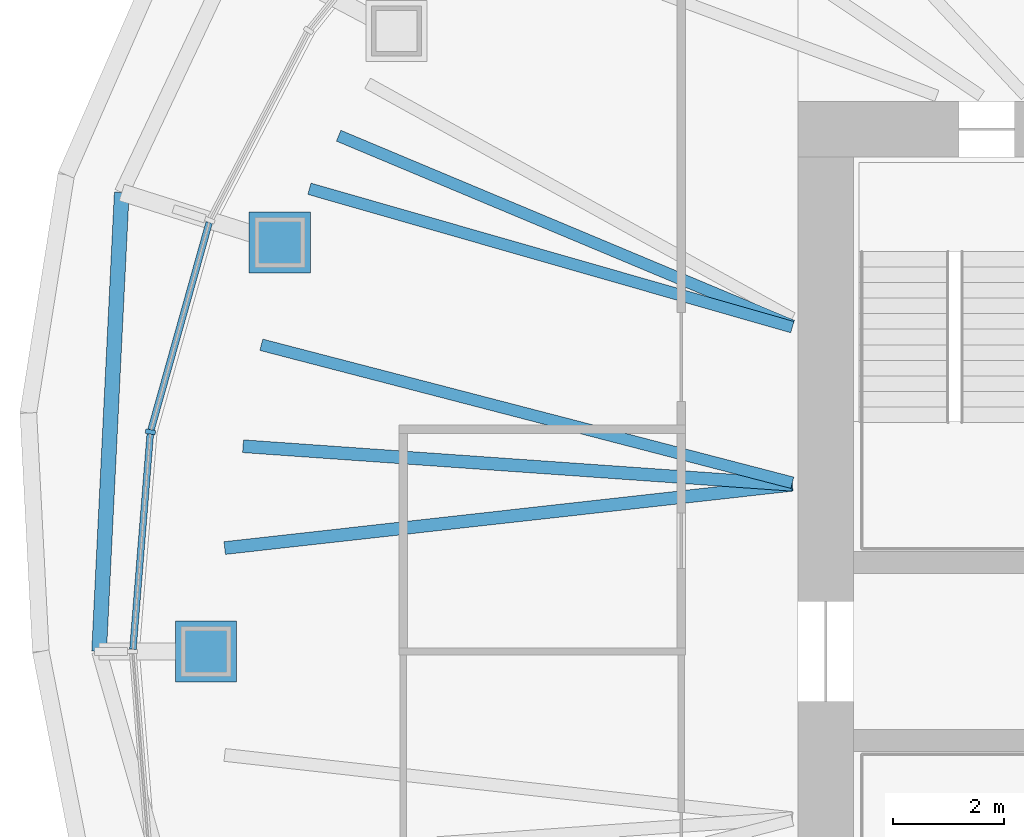
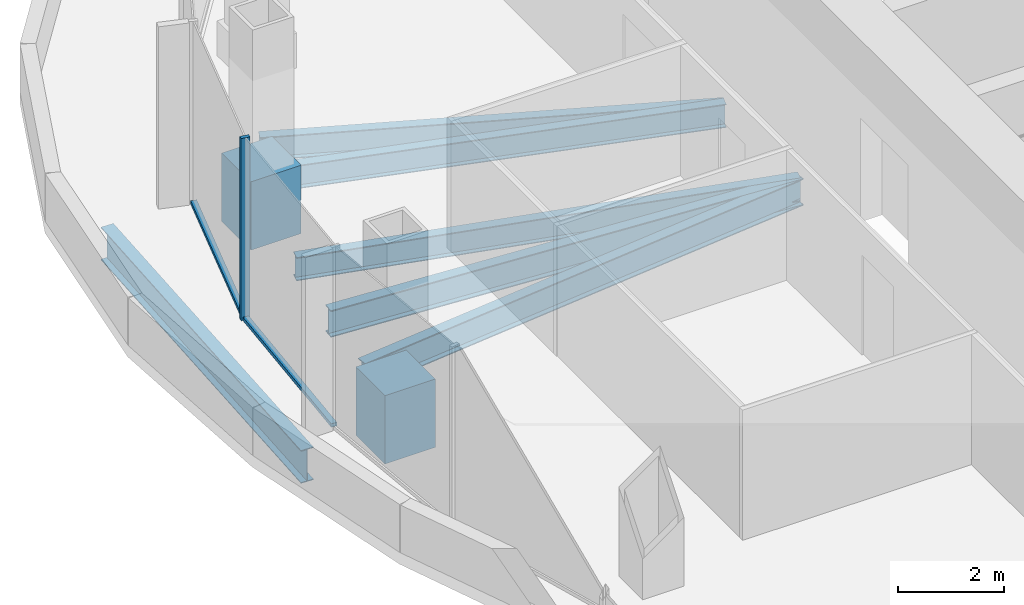
# One storey, part 3 of 13: 6 beams, 5 members, 1 element without a shape of its own.
"""IFC4 building model written with IfcOpenShell, lengths in metres."""

from ifc_helpers import new_model, si_unit, direction, frame, origin, origin_2d, place, context, subcontext, project, spatial, rectangle, hollow_rectangle, i_section, extrude, boolean, material, material_profile, profile_set, type_object, element, aggregate, save


model = new_model("IFC4")

# Units and contexts
model_context = context("Model", 3, precision=1e-05, world=origin(), true_north=direction((0.0, 1.0)))
body_context = subcontext(model_context, "Body", "Model", "MODEL_VIEW")
ifc_project = project(units=[si_unit("LENGTHUNIT", "METRE"), si_unit("AREAUNIT", "SQUARE_METRE"), si_unit("VOLUMEUNIT", "CUBIC_METRE"), si_unit("PLANEANGLEUNIT", "RADIAN"), si_unit("MASSUNIT", "GRAM", prefix="KILO")], contexts=[model_context])

# Site, building, storey
site_placement = place(None, origin())
site = spatial("IfcSite", under=ifc_project, at=site_placement, CompositionType="ELEMENT")
building_placement = place(site_placement, origin())
building = spatial("IfcBuilding", under=site, at=building_placement, Name="Ghaith Harvest Tower", CompositionType="ELEMENT")
storey_placement = place(building_placement, frame((0.0, 0.0, 271.199951171875)))
storey = spatial("IfcBuildingStorey", under=building, at=storey_placement, Name="L60", CompositionType="ELEMENT", Elevation=271.199951171875)

# Curtain wall, members
ifc_material_1 = material(Name="Black anodised aluminium and fritted glass", Category="aluminium")
curtain_wall_type = type_object("IfcCurtainWallType", Name="CW-T CURTAIN WALL", PredefinedType="NOTDEFINED", material=ifc_material_1)
curtain_wall_placement = place(storey_placement, origin())
curtain_wall = element("IfcCurtainWall", 1, at=curtain_wall_placement, inside=storey, type_object=curtain_wall_type, Name="Curtain wall CW-T bay 10 L60", PredefinedType="NOTDEFINED")
ifc_material_2 = material(Name="Aluminium, black anodised", Category="aluminium")
ifc_material_profile_1 = material_profile(ifc_material_2, rectangle(XDim=0.080078125, YDim=0.179931640625, at=origin_2d()), Name="CW-T MULLION 80x180")
ifc_profile_set_1 = profile_set([ifc_material_profile_1], Name="Aluminium, black anodised")
member_type_1 = type_object("IfcMemberType", Name="CW-T MULLION 80x180", PredefinedType="MULLION", material=ifc_profile_set_1)
member_1_placement = place(storey_placement, frame((-25.5517578125, 3.9521484375, 0.0), z_axis=(0.0, 0.0, 1.0), x_axis=(-0.176001390642, -0.984389917915, 0.0)))
member_1 = element("IfcMember", 2, at=member_1_placement, type_object=member_type_1, Name="CW-T mullion 2 bay 10 L60", PredefinedType="MULLION", context=body_context, shape_type="SweptSolid", body=[
    extrude(rectangle(XDim=0.080078125, YDim=0.179931640625, at=origin_2d()), origin(), (0.0, 0.0, 1.0), 4.199951171875),
])
ifc_material_3 = material(Name="Aluminium, black anodised", Category="aluminium")
ifc_material_profile_2 = material_profile(ifc_material_3, rectangle(XDim=0.1201171875, YDim=0.080078125, at=origin_2d()), Name="CW-T TRANSOM 120x80")
ifc_profile_set_2 = profile_set([ifc_material_profile_2], Name="Aluminium, black anodised")
member_type_2 = type_object("IfcMemberType", Name="CW-T TRANSOM 120x80", PredefinedType="USERDEFINED", material=ifc_profile_set_2)
member_2_placement = place(storey_placement, frame((-24.49365234375, 7.720458984375, 0.0400390625), z_axis=(-0.270340422972, -0.962764797709, 0.0), x_axis=(0.962764797709, -0.270340422972, 0.0)))
member_2 = element("IfcMember", 3, at=member_2_placement, type_object=member_type_2, Name="CW-T transom 1 bay 10 L60", ObjectType="TRANSOM", PredefinedType="USERDEFINED", context=body_context, shape_type="SweptSolid", body=[
    extrude(rectangle(XDim=0.1201171875, YDim=0.080078125, at=origin_2d()), origin(), (0.0, 0.0, 1.0), 3.874267578125),
])
member_3_placement = place(storey_placement, frame((-25.554931640625, 3.912109375, 0.0400390625), z_axis=(-0.08025226314, -0.996774585481, 0.0), x_axis=(0.996774585481, -0.08025226314, 0.0)))
member_3 = element("IfcMember", 4, at=member_3_placement, type_object=member_type_2, Name="CW-T transom 2 bay 10 L60", ObjectType="TRANSOM", PredefinedType="USERDEFINED", context=body_context, shape_type="SweptSolid", body=[
    extrude(rectangle(XDim=0.1201171875, YDim=0.080078125, at=origin_2d()), origin(), (0.0, 0.0, 1.0), 3.884765625),
])
aggregate(curtain_wall, [member_2, member_1, member_3])

# Beams
ifc_material_4 = material(Name="Steel ASTM A992 Grade 50", Category="steel")
ifc_material_profile_3 = material_profile(ifc_material_4, i_section(OverallWidth=0.26611328125, OverallDepth=0.758056640625, WebThickness=0.013916015625, FlangeThickness=0.019287109375, at=origin_2d()), Name="W760X161")
ifc_profile_set_3 = profile_set([ifc_material_profile_3], Name="Steel ASTM A992 Grade 50")
beam_type_1 = type_object("IfcBeamType", Name="E760-161 W760X161", PredefinedType="SPANDREL", material=ifc_profile_set_3)
beam_1_placement = place(storey_placement, frame((-26.0673828125, 8.26123046875, -0.654052734375), z_axis=(-0.049292803929, -0.998784370863, 0.0), x_axis=(0.998784370863, -0.049292803929, 0.0)))
element("IfcBeam", 5, at=beam_1_placement, inside=storey, type_object=beam_type_1, Name="Setback edge beam E10 L60", PredefinedType="SPANDREL", context=body_context, shape_type="SweptSolid", body=[
    extrude(i_section(OverallWidth=0.26611328125, OverallDepth=0.758056640625, WebThickness=0.013916015625, FlangeThickness=0.019287109375, at=origin_2d()), origin(), (0.0, 0.0, 1.0), 8.271240234375),
])
ifc_material_5 = material(Name="Steel ASTM A992 Grade 50", Category="steel")
ifc_material_profile_4 = material_profile(ifc_material_5, i_section(OverallWidth=0.2109375, OverallDepth=0.5390625, WebThickness=0.01171875, FlangeThickness=0.018798828125, at=origin_2d()), Name="W530X109")
ifc_profile_set_4 = profile_set([ifc_material_profile_4], Name="Steel ASTM A992 Grade 50")
beam_type_2 = type_object("IfcBeamType", Name="J530-109 W530X109", PredefinedType="JOIST", material=ifc_profile_set_4)
beam_2_placement = place(storey_placement, frame((-14.0, 5.862548828125, -0.439453125), z_axis=(-0.922387515293, 0.386265804377, 0.0), x_axis=(-0.386265804377, -0.922387515293, 0.0)))
element("IfcBeam", 6, at=beam_2_placement, inside=storey, type_object=beam_type_2, Name="Joist J09.2 L60", PredefinedType="JOIST", context=body_context, shape_type="SweptSolid", body=[
    extrude(i_section(OverallWidth=0.2109375, OverallDepth=0.5390625, WebThickness=0.01171875, FlangeThickness=0.018798828125, at=origin_2d()), origin(), (0.0, 0.0, 1.0), 8.851318359375),
])
beam_3_placement = place(storey_placement, frame((-14.0, 5.8369140625, -0.439453125), z_axis=(-0.961304536785, 0.275487908185, 0.0), x_axis=(-0.275487908185, -0.961304536785, 0.0)))
element("IfcBeam", 7, at=beam_3_placement, inside=storey, type_object=beam_type_2, Name="Joist J09.3 L60", PredefinedType="JOIST", context=body_context, shape_type="SweptSolid", body=[
    extrude(i_section(OverallWidth=0.2109375, OverallDepth=0.5390625, WebThickness=0.01171875, FlangeThickness=0.018798828125, at=origin_2d()), origin(), (0.0, 0.0, 1.0), 9.040283203125),
])
beam_4_placement = place(storey_placement, frame((-14.0, 3.036865234375, -0.439453125), z_axis=(-0.967859473684, 0.251491628487, 0.0), x_axis=(-0.251491628487, -0.967859473684, 0.0)))
element("IfcBeam", 8, at=beam_4_placement, inside=storey, type_object=beam_type_2, Name="Joist J10.1 L60", PredefinedType="JOIST", context=body_context, shape_type="SweptSolid", body=[
    extrude(i_section(OverallWidth=0.2109375, OverallDepth=0.5390625, WebThickness=0.01171875, FlangeThickness=0.018798828125, at=origin_2d()), origin(), (0.0, 0.0, 1.0), 9.872802734375),
])
ifc_material_6 = material(Name="Steel ASTM A992 Grade 50", Category="steel")
ifc_material_profile_5 = material_profile(ifc_material_6, i_section(OverallWidth=0.22998046875, OverallDepth=0.616943359375, WebThickness=0.01318359375, FlangeThickness=0.022216796875, at=origin_2d()), Name="W610X140")
ifc_profile_set_5 = profile_set([ifc_material_profile_5], Name="Steel ASTM A992 Grade 50")
beam_type_3 = type_object("IfcBeamType", Name="J610-140 W610X140", PredefinedType="JOIST", material=ifc_profile_set_5)
beam_5_placement = place(storey_placement, frame((-14.0, 3.0, -0.478515625), z_axis=(-0.997543651048, 0.070047585643, 0.0), x_axis=(-0.070047585643, -0.997543651048, 0.0)))
element("IfcBeam", 9, at=beam_5_placement, inside=storey, type_object=beam_type_3, Name="Joist J10.2 L60", PredefinedType="JOIST", context=body_context, shape_type="SweptSolid", body=[
    extrude(i_section(OverallWidth=0.22998046875, OverallDepth=0.616943359375, WebThickness=0.01318359375, FlangeThickness=0.022216796875, at=origin_2d()), origin(), (0.0, 0.0, 1.0), 9.908935546875),
])
beam_6_placement = place(storey_placement, frame((-14.0, 3.0, -0.478515625), z_axis=(-0.993846599122, -0.110765235587, 0.0), x_axis=(0.110765235587, -0.993846599122, 0.0)))
element("IfcBeam", 10, at=beam_6_placement, inside=storey, type_object=beam_type_3, Name="Joist J10.3 L60", PredefinedType="JOIST", context=body_context, shape_type="SweptSolid", body=[
    extrude(i_section(OverallWidth=0.22998046875, OverallDepth=0.616943359375, WebThickness=0.01318359375, FlangeThickness=0.022216796875, at=origin_2d()), origin(), (0.0, 0.0, 1.0), 10.27783203125),
])

# Members
ifc_material_7 = material(Name="Steel S460M", Category="steel")
ifc_material_profile_6 = material_profile(ifc_material_7, hollow_rectangle(XDim=1.10009765625, YDim=1.10009765625, WallThickness=0.080078125, at=origin_2d()), Name="BOX1100X1100X80")
ifc_profile_set_6 = profile_set([ifc_material_profile_6], Name="Steel S460M")
member_type_3 = type_object("IfcMemberType", Name="KN1 BOX1100X1100X80", PredefinedType="USERDEFINED", material=ifc_profile_set_6)
for number, where, z_axis, x_axis, name in (
    (11, (-23.22412109375, 7.360107421875, -0.77490234375), (0.0, 0.0, 1.0), (1.0, 0.0, 0.0), "Raked column kink node C10 head L59"),
    (12, (-24.550048828125, 0.0, -0.77490234375), (0.0, 0.0, 1.0), (1.0, 0.0, 0.0), "Raked column kink node C11 head L59"),
):
    element("IfcMember", number, at=place(storey_placement, frame(where, z_axis=z_axis, x_axis=x_axis)), inside=storey, type_object=member_type_3, Name=name, ObjectType="KINK NODE", PredefinedType="USERDEFINED", context=body_context, shape_type="CSG", body=[
        boolean("UNION", extrude(hollow_rectangle(XDim=1.10009765625, YDim=1.10009765625, WallThickness=0.080078125, at=origin_2d()), origin(), (0.0, 0.0, 1.0), 1.550048828125), extrude(rectangle(XDim=1.10009765625, YDim=1.10009765625, at=origin_2d()), frame((0.0, 0.0, 1.550048828125)), (0.0, 0.0, 1.0), 0.02490234375)),
    ])

save(model, "model.ifc")
